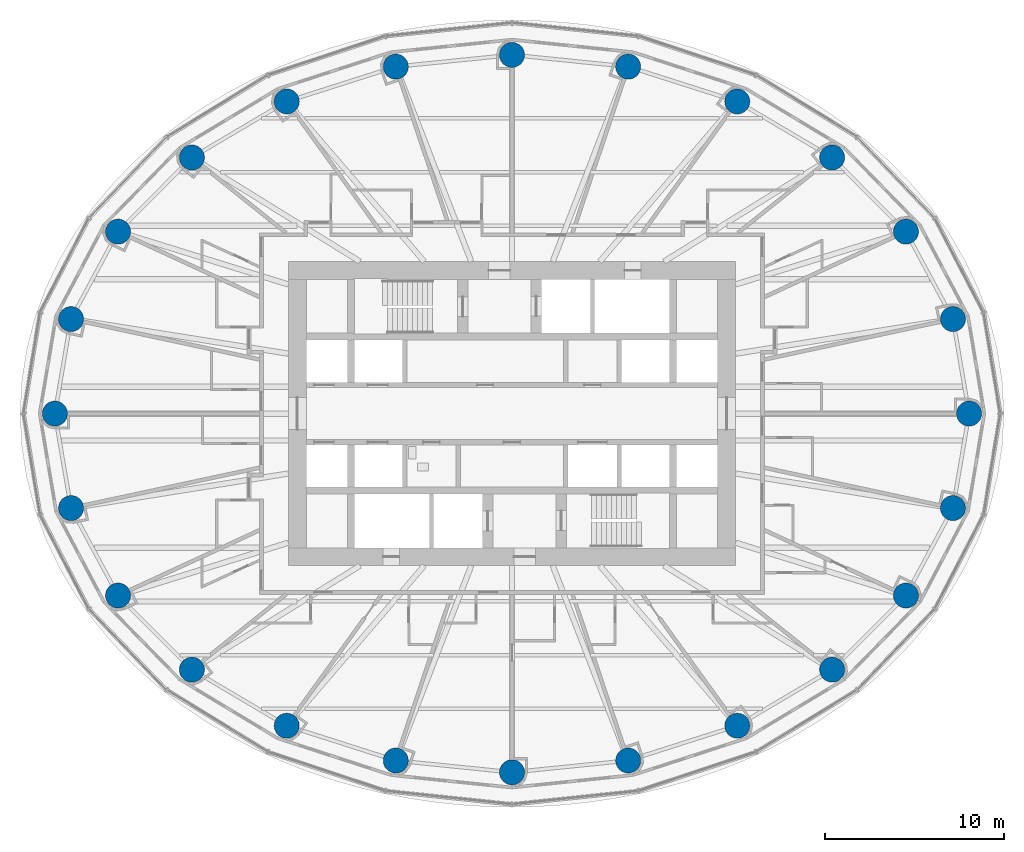
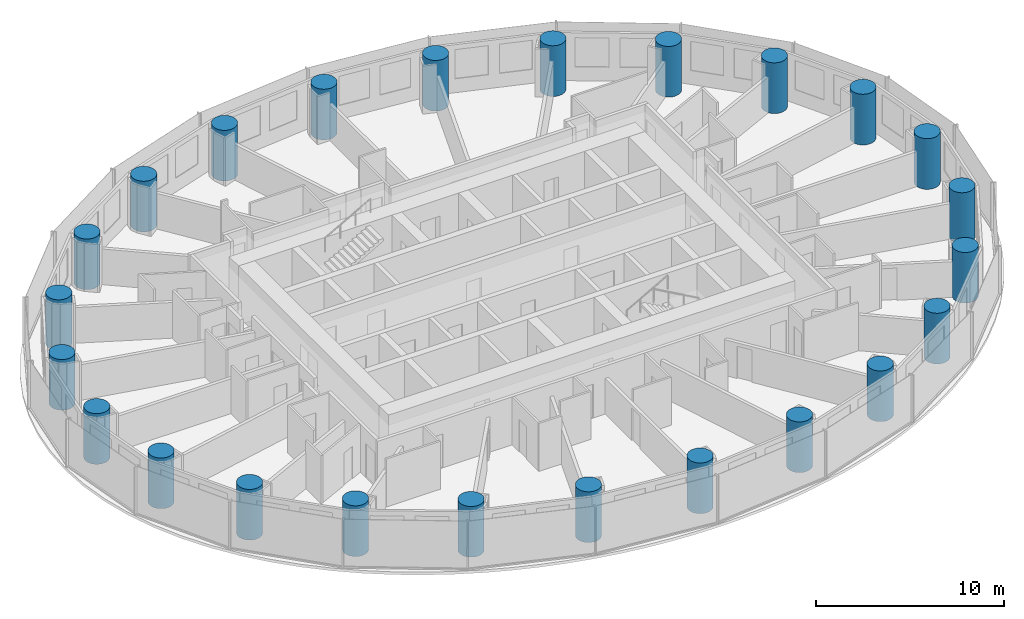
# One storey, part 1 of 16: 24 columns.
"""IFC4 building model written with IfcOpenShell, lengths in metres."""

import ifcopenshell
import ifcopenshell.guid

model = None  # the IFC model being written
_history = None  # IfcOwnerHistory: only IFC2X3 demands one
_inside = {}  # id of a spatial element -> (the spatial element, [elements in it])
_under = {}  # id of a project, library or spatial element -> (it, [spatial elements below it])
_declared = {}  # id of a project -> (the project, [libraries it declares])
_typed = {}  # id of a type object -> (the type object, [elements of that type])
_made_of = {}  # id of a material, layer set ... -> (it, [elements and type objects made of it])


def new_model(schema):
    """Start an empty IFC model of exactly this schema.

    Asked for "IFC4X3", IfcOpenShell would pick the latest addendum, in which some entities
    have other attributes; the version numbers below select the first issue.
    IFC2X3 requires an IfcOwnerHistory on every rooted entity: one is made here for all.
    """
    global model, _history
    if schema == "IFC4X3":
        model = ifcopenshell.file(schema_version=(4, 3, 0, 0))
    else:
        model = ifcopenshell.file(schema=schema)
    _inside.clear()
    _under.clear()
    _declared.clear()
    _typed.clear()
    _made_of.clear()
    _history = None
    if model.schema == "IFC2X3":
        org = make("IfcOrganization", Name="unknown")
        user = make(
            "IfcPersonAndOrganization",
            ThePerson=make("IfcPerson", FamilyName="unknown"),
            TheOrganization=org,
        )
        app = make(
            "IfcApplication",
            ApplicationDeveloper=org,
            Version="unknown",
            ApplicationFullName="unknown",
            ApplicationIdentifier="unknown",
        )
        _history = make(
            "IfcOwnerHistory",
            OwningUser=user,
            OwningApplication=app,
            ChangeAction="ADDED",
            CreationDate=0,
        )
    return model


def make(cls, **values):
    """One entity of the class cls with the attributes given. An attribute that is None is left unset."""
    return model.create_entity(
        cls, **{name: value for name, value in values.items() if value is not None}
    )


def rooted(cls, **values):
    """An entity with a GlobalId (a new one), such as an element, a storey or a relation."""
    return make(cls, GlobalId=ifcopenshell.guid.new(), OwnerHistory=_history, **values)


def si_unit(unit_type, name, prefix=None):
    """IfcSIUnit, for example si_unit("LENGTHUNIT", "METRE", prefix="MILLI")."""
    return make("IfcSIUnit", UnitType=unit_type, Prefix=prefix, Name=name)


def assignment(units):
    """IfcUnitAssignment: the units of a project."""
    return None if units is None else make("IfcUnitAssignment", Units=units)


def point(xyz):
    """IfcCartesianPoint."""
    return None if xyz is None else make("IfcCartesianPoint", Coordinates=xyz)


def direction(xyz):
    """IfcDirection."""
    return None if xyz is None else make("IfcDirection", DirectionRatios=xyz)


def frame(location, z_axis=None, x_axis=None):
    """IfcAxis2Placement3D, a coordinate frame: its origin and axes. An axis left out is left unset."""
    return make(
        "IfcAxis2Placement3D",
        Location=point(location),
        Axis=direction(z_axis),
        RefDirection=direction(x_axis),
    )


def frame_2d(location, x_axis=None):
    """IfcAxis2Placement2D, a coordinate frame in the plane: its origin and x axis."""
    return make(
        "IfcAxis2Placement2D", Location=point(location), RefDirection=direction(x_axis)
    )


def origin():
    """The frame at (0, 0, 0) with its axes left unset."""
    return frame((0.0, 0.0, 0.0))


def origin_2d():
    """The frame at (0, 0) in the plane with its x axis left unset."""
    return frame_2d((0.0, 0.0))


def place(relative_to, where):
    """IfcLocalPlacement: puts the frame where relative to a parent placement (None: the world)."""
    return make(
        "IfcLocalPlacement", PlacementRelTo=relative_to, RelativePlacement=where
    )


def context(
    kind, dimensions, precision=None, world=None, true_north=None, identifier=None
):
    """IfcGeometricRepresentationContext, for example the 3D "Model" context."""
    return make(
        "IfcGeometricRepresentationContext",
        ContextIdentifier=identifier,
        ContextType=kind,
        CoordinateSpaceDimension=dimensions,
        Precision=precision,
        WorldCoordinateSystem=world,
        TrueNorth=true_north,
    )


def subcontext(parent, identifier, kind, view, scale=None):
    """IfcGeometricRepresentationSubContext, for example "Body" below "Model"."""
    return make(
        "IfcGeometricRepresentationSubContext",
        ContextIdentifier=identifier,
        ContextType=kind,
        ParentContext=parent,
        TargetScale=scale,
        TargetView=view,
    )


def project(units=None, contexts=None):
    """IfcProject with its units and contexts."""
    return rooted(
        "IfcProject",
        Name="project",
        RepresentationContexts=contexts,
        UnitsInContext=assignment(units),
    )


def spatial(cls, under=None, at=None, **own):
    """A site, building, storey or space (cls), placed at a placement, below another one or the project."""
    s = rooted(cls, ObjectPlacement=at, **own)
    if under is not None:
        _under.setdefault(under.id(), (under, []))[1].append(s)
    return s


def profile(cls, at=None, kind="AREA", **sizes):
    """A parametric profile (cls). Its sizes go by their IFC names, for example OverallWidth=200.0."""
    return make(cls, ProfileType=kind, Position=at, **sizes)


def circle(**sizes):
    """IfcCircleProfileDef."""
    return profile("IfcCircleProfileDef", **sizes)


def extrude(swept, where, along, depth):
    """IfcExtrudedAreaSolid: the profile swept, set in the frame where, extruded along a direction by depth."""
    return make(
        "IfcExtrudedAreaSolid",
        SweptArea=swept,
        Position=where,
        ExtrudedDirection=direction(along),
        Depth=depth,
    )


def shape(context_of_items, identifier, shape_type, items):
    """IfcShapeRepresentation: the items that make up one representation, for example the "Body"."""
    return make(
        "IfcShapeRepresentation",
        ContextOfItems=context_of_items,
        RepresentationIdentifier=identifier,
        RepresentationType=shape_type,
        Items=items,
    )


def material(Name=None, Category=None):
    """IfcMaterial."""
    return make("IfcMaterial", Name=Name, Category=Category)


def material_profile(
    of_material, cross_section, Name=None, Category=None, Priority=None
):
    """IfcMaterialProfile: a cross section and its material."""
    return make(
        "IfcMaterialProfile",
        Name=Name,
        Material=of_material,
        Profile=cross_section,
        Priority=Priority,
        Category=Category,
    )


def profile_set(profiles, Name=None, composite=None):
    """IfcMaterialProfileSet."""
    return make(
        "IfcMaterialProfileSet",
        Name=Name,
        MaterialProfiles=profiles,
        CompositeProfile=composite,
    )


def made_of(thing, what):
    """Note that an element or type object is made of a material, layer set ...; save() writes the relation."""
    if what is not None:
        _made_of.setdefault(what.id(), (what, []))[1].append(thing)
    return thing


def type_object(cls, material=None, **own):
    """A type object (cls), such as IfcWallType, which elements share."""
    return made_of(rooted(cls, **own), material)


def element(
    cls,
    number,
    at=None,
    inside=None,
    cuts=None,
    type_object=None,
    material=None,
    context=None,
    identifier="Body",
    shape_type=None,
    held_by="IfcProductDefinitionShape",
    body=None,
    shapes=None,
    **own,
):
    """One element of the class cls, such as IfcWall. Its Tag is "e" and its number.

    at: its placement. inside: the storey or other place that contains it. cuts: it is an
    opening in that element (IfcRelVoidsElement). A single representation is given by context,
    identifier, shape_type and body (its items); several are given by shapes. held_by: the class
    of the entity that holds the representations. save() writes the other relations.
    """
    e = rooted(cls, Tag="e%d" % number, ObjectPlacement=at, **own)
    if body is not None:
        shapes = [shape(context, identifier, shape_type, body)]
    if shapes is not None:
        e.Representation = make(held_by, Representations=shapes)
    if inside is not None:
        _inside.setdefault(inside.id(), (inside, []))[1].append(e)
    if cuts is not None:
        rooted(
            "IfcRelVoidsElement", RelatingBuildingElement=cuts, RelatedOpeningElement=e
        )
    if type_object is not None:
        _typed.setdefault(type_object.id(), (type_object, []))[1].append(e)
    return made_of(e, material)


def aggregate(whole, parts):
    """IfcRelAggregates: a whole, such as a stair, and the parts it consists of."""
    return rooted("IfcRelAggregates", RelatingObject=whole, RelatedObjects=parts)


def save(model, path):
    """Write the relations noted so far, then the file.

    IfcRelAggregates (storeys below a building ...), IfcRelContainedInSpatialStructure (elements
    in a storey), IfcRelDefinesByType, IfcRelAssociatesMaterial and IfcRelDeclares: one each for
    every whole, place, type object, material and project.
    """
    for whole, parts in _under.values():
        aggregate(whole, parts)
    for where, things in _inside.values():
        rooted(
            "IfcRelContainedInSpatialStructure",
            RelatedElements=things,
            RelatingStructure=where,
        )
    for kind, things in _typed.values():
        rooted("IfcRelDefinesByType", RelatedObjects=things, RelatingType=kind)
    for what, things in _made_of.values():
        rooted("IfcRelAssociatesMaterial", RelatedObjects=things, RelatingMaterial=what)
    for by, libraries in _declared.values():
        rooted("IfcRelDeclares", RelatingContext=by, RelatedDefinitions=libraries)
    model.write(path)


model = new_model("IFC4")

# Units and contexts
model_context = context("Model", 3, precision=1e-05, world=origin(), true_north=direction((0.0, 1.0)))
body_context = subcontext(model_context, "Body", "Model", "MODEL_VIEW")
ifc_project = project(units=[si_unit("LENGTHUNIT", "METRE"), si_unit("AREAUNIT", "SQUARE_METRE"), si_unit("VOLUMEUNIT", "CUBIC_METRE"), si_unit("PLANEANGLEUNIT", "RADIAN"), si_unit("MASSUNIT", "GRAM", prefix="KILO")], contexts=[model_context])

# Site, building, storey
site_placement = place(None, origin())
site = spatial("IfcSite", under=ifc_project, at=site_placement, CompositionType="ELEMENT")
building_placement = place(site_placement, origin())
building = spatial("IfcBuilding", under=site, at=building_placement, Name="Hankou Lantern Tower", CompositionType="ELEMENT")
storey_placement = place(building_placement, frame((0.0, 0.0, 77.10009765625)))
storey = spatial("IfcBuildingStorey", under=building, at=storey_placement, Name="L19", CompositionType="ELEMENT", Elevation=77.10009765625)

# Columns
ifc_material = material(Name="Concrete C60", Category="concrete")
ifc_material_profile = material_profile(ifc_material, circle(Radius=0.699951171875, at=origin_2d()), Name="RC D1400")
ifc_profile_set = profile_set([ifc_material_profile], Name="Concrete C60")
column_type = type_object("IfcColumnType", Name="TC2 PERIMETER COLUMN RC D1400", PredefinedType="COLUMN", material=ifc_profile_set)
for number, where, z_axis, x_axis, name in (
    (1, (25.550048828125, 0.0, 0.0), (0.0, 0.0, 1.0), (1.0, 0.0, 0.0), "Column R01 L19"),
    (2, (24.64697265625, 5.283203125, 0.0), (0.0, 0.0, 1.0), (1.0, 0.0, 0.0), "Column R02 L19"),
    (3, (22.01904296875, 10.170166015625, 0.0), (0.0, 0.0, 1.0), (1.0, 0.0, 0.0), "Column R03 L19"),
    (4, (17.891845703125, 14.3134765625, 0.0), (0.0, 0.0, 1.0), (1.0, 0.0, 0.0), "Column R04 L19"),
    (5, (12.5908203125, 17.446533203125, 0.0), (0.0, 0.0, 1.0), (1.0, 0.0, 0.0), "Column R05 L19"),
    (6, (6.494873046875, 19.391357421875, 0.0), (0.0, 0.0, 1.0), (1.0, 0.0, 0.0), "Column R06 L19"),
    (7, (0.0, 20.050048828125, 0.0), (0.0, 0.0, 1.0), (1.0, 0.0, 0.0), "Column R07 L19"),
    (8, (-6.494873046875, 19.391357421875, 0.0), (0.0, 0.0, 1.0), (1.0, 0.0, 0.0), "Column R08 L19"),
    (9, (-12.5908203125, 17.446533203125, 0.0), (0.0, 0.0, 1.0), (1.0, 0.0, 0.0), "Column R09 L19"),
    (10, (-17.891845703125, 14.3134765625, 0.0), (0.0, 0.0, 1.0), (1.0, 0.0, 0.0), "Column R10 L19"),
    (11, (-22.01904296875, 10.170166015625, 0.0), (0.0, 0.0, 1.0), (1.0, 0.0, 0.0), "Column R11 L19"),
    (12, (-24.64697265625, 5.283203125, 0.0), (0.0, 0.0, 1.0), (1.0, 0.0, 0.0), "Column R12 L19"),
    (13, (-25.550048828125, 0.0, 0.0), (0.0, 0.0, 1.0), (1.0, 0.0, 0.0), "Column R13 L19"),
    (14, (-24.64697265625, -5.283203125, 0.0), (0.0, 0.0, 1.0), (1.0, 0.0, 0.0), "Column R14 L19"),
    (15, (-22.01904296875, -10.170166015625, 0.0), (0.0, 0.0, 1.0), (1.0, 0.0, 0.0), "Column R15 L19"),
    (16, (-17.891845703125, -14.3134765625, 0.0), (0.0, 0.0, 1.0), (1.0, 0.0, 0.0), "Column R16 L19"),
    (17, (-12.5908203125, -17.446533203125, 0.0), (0.0, 0.0, 1.0), (1.0, 0.0, 0.0), "Column R17 L19"),
    (18, (-6.494873046875, -19.391357421875, 0.0), (0.0, 0.0, 1.0), (1.0, 0.0, 0.0), "Column R18 L19"),
    (19, (0.0, -20.050048828125, 0.0), (0.0, 0.0, 1.0), (1.0, 0.0, 0.0), "Column R19 L19"),
    (20, (6.494873046875, -19.391357421875, 0.0), (0.0, 0.0, 1.0), (1.0, 0.0, 0.0), "Column R20 L19"),
    (21, (12.5908203125, -17.446533203125, 0.0), (0.0, 0.0, 1.0), (1.0, 0.0, 0.0), "Column R21 L19"),
    (22, (17.891845703125, -14.3134765625, 0.0), (0.0, 0.0, 1.0), (1.0, 0.0, 0.0), "Column R22 L19"),
    (23, (22.01904296875, -10.170166015625, 0.0), (0.0, 0.0, 1.0), (1.0, 0.0, 0.0), "Column R23 L19"),
    (24, (24.64697265625, -5.283203125, 0.0), (0.0, 0.0, 1.0), (1.0, 0.0, 0.0), "Column R24 L19"),
):
    element("IfcColumn", number, at=place(storey_placement, frame(where, z_axis=z_axis, x_axis=x_axis)), inside=storey, type_object=column_type, Name=name, PredefinedType="COLUMN", context=body_context, shape_type="SweptSolid", body=[
        extrude(circle(Radius=0.699951171875, at=origin_2d()), origin(), (0.0, 0.0, 1.0), 3.2998046875),
    ])

save(model, "model.ifc")
